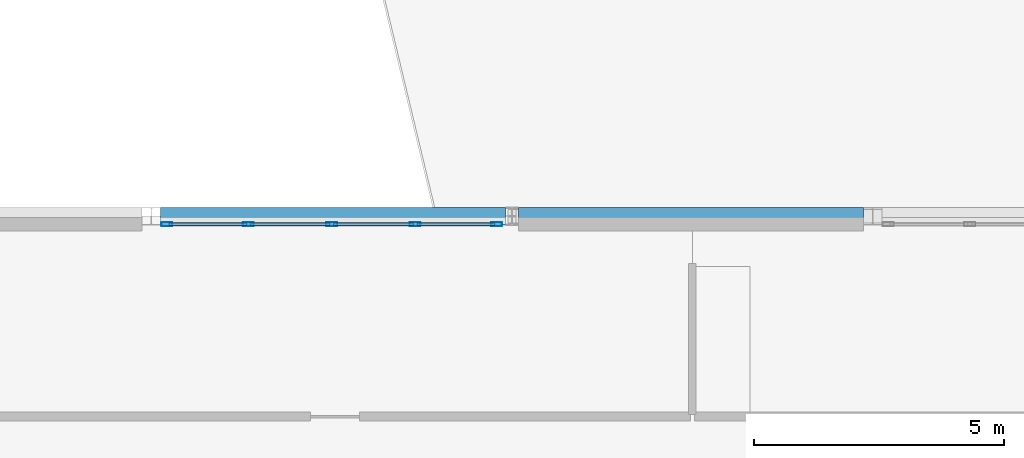
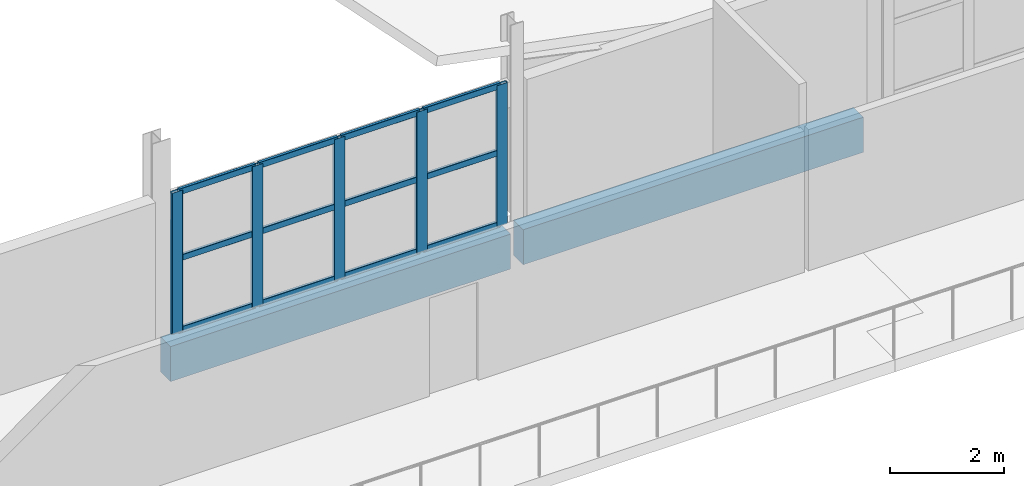
# One storey, part 52 of 94: 17 members, 2 beams, 1 element without a shape of its own.
"""IFC4 building model written with IfcOpenShell, lengths in metres."""

from ifc_helpers import new_model, si_unit, direction, frame, origin, origin_2d, place, context, subcontext, project, spatial, rectangle, hollow_rectangle, extrude, material, material_profile, profile_set, type_object, element, aggregate, save


model = new_model("IFC4")

# Units and contexts
model_context = context("Model", 3, precision=1e-05, world=origin(), true_north=direction((0.0, 1.0)))
body_context = subcontext(model_context, "Body", "Model", "MODEL_VIEW")
ifc_project = project(units=[si_unit("LENGTHUNIT", "METRE"), si_unit("AREAUNIT", "SQUARE_METRE"), si_unit("VOLUMEUNIT", "CUBIC_METRE"), si_unit("PLANEANGLEUNIT", "RADIAN"), si_unit("MASSUNIT", "GRAM", prefix="KILO")], contexts=[model_context])

# Site, building, storey
site_placement = place(None, origin())
site = spatial("IfcSite", under=ifc_project, at=site_placement, CompositionType="ELEMENT")
building_placement = place(site_placement, origin())
building = spatial("IfcBuilding", under=site, at=building_placement, Name="Kalmorath City Hall", CompositionType="ELEMENT")
storey_placement = place(building_placement, frame((0.0, 0.0, 14.699951171875)))
storey = spatial("IfcBuildingStorey", under=building, at=storey_placement, Name="L03", CompositionType="ELEMENT", Elevation=14.699951171875)

# Curtain wall, members
ifc_material_1 = material(Name="Anodised aluminium and laminated glass", Category="aluminium")
curtain_wall_type = type_object("IfcCurtainWallType", Name="Unitised hurricane curtain wall 6656x3022 M1850", PredefinedType="NOTDEFINED", material=ifc_material_1)
curtain_wall_placement = place(storey_placement, origin())
curtain_wall = element("IfcCurtainWall", 1, at=curtain_wall_placement, inside=storey, type_object=curtain_wall_type, Name="L03 curtain wall CW-67X30M18 #160", PredefinedType="NOTDEFINED")
ifc_material_2 = material(Name="Anodised aluminium framing", Category="aluminium")
ifc_material_profile_1 = material_profile(ifc_material_2, hollow_rectangle(XDim=0.06005859375, YDim=0.1298828125, WallThickness=0.00341796875, InnerFilletRadius=0.00341796875, OuterFilletRadius=0.007080078125, at=origin_2d()), Name="ALU-TRN-130X60X3.5")
ifc_profile_set_1 = profile_set([ifc_material_profile_1], Name="Anodised aluminium framing")
member_type_1 = type_object("IfcMemberType", Name="Curtain-wall courtyard transom 130x60", PredefinedType="USERDEFINED", material=ifc_profile_set_1)
member_1_placement = place(storey_placement, frame((129.949462890625, 43.0400390625, 0.030029296875), z_axis=(1.0, 0.0, 0.0), x_axis=(0.0, 1.0, 0.0)))
member_1 = element("IfcMember", 2, at=member_1_placement, type_object=member_type_1, Name="CW-67X30M18 transom 1.1", ObjectType="TRANSOM", PredefinedType="USERDEFINED", context=body_context, shape_type="SweptSolid", body=[
    extrude(hollow_rectangle(XDim=0.06005859375, YDim=0.1298828125, WallThickness=0.00341796875, InnerFilletRadius=0.00341796875, OuterFilletRadius=0.007080078125, at=origin_2d()), origin(), (0.0, 0.0, 1.0), 1.551513671875),
])
member_2_placement = place(storey_placement, frame((129.949462890625, 43.0400390625, 1.571044921875), z_axis=(1.0, 0.0, 0.0), x_axis=(0.0, 1.0, 0.0)))
member_2 = element("IfcMember", 3, at=member_2_placement, type_object=member_type_1, Name="CW-67X30M18 transom 1.2", ObjectType="TRANSOM", PredefinedType="USERDEFINED", context=body_context, shape_type="SweptSolid", body=[
    extrude(hollow_rectangle(XDim=0.06005859375, YDim=0.1298828125, WallThickness=0.00341796875, InnerFilletRadius=0.00341796875, OuterFilletRadius=0.007080078125, at=origin_2d()), origin(), (0.0, 0.0, 1.0), 1.551513671875),
])
member_3_placement = place(storey_placement, frame((129.949462890625, 43.0400390625, 2.991943359375), z_axis=(1.0, 0.0, 0.0), x_axis=(0.0, 1.0, 0.0)))
member_3 = element("IfcMember", 4, at=member_3_placement, type_object=member_type_1, Name="CW-67X30M18 transom 1.3", ObjectType="TRANSOM", PredefinedType="USERDEFINED", context=body_context, shape_type="SweptSolid", body=[
    extrude(hollow_rectangle(XDim=0.06005859375, YDim=0.1298828125, WallThickness=0.00341796875, InnerFilletRadius=0.00341796875, OuterFilletRadius=0.007080078125, at=origin_2d()), origin(), (0.0, 0.0, 1.0), 1.551513671875),
])
member_4_placement = place(storey_placement, frame((131.575927734375, 43.0400390625, 0.030029296875), z_axis=(1.0, 0.0, 0.0), x_axis=(0.0, 1.0, 0.0)))
member_4 = element("IfcMember", 5, at=member_4_placement, type_object=member_type_1, Name="CW-67X30M18 transom 2.1", ObjectType="TRANSOM", PredefinedType="USERDEFINED", context=body_context, shape_type="SweptSolid", body=[
    extrude(hollow_rectangle(XDim=0.06005859375, YDim=0.1298828125, WallThickness=0.00341796875, InnerFilletRadius=0.00341796875, OuterFilletRadius=0.007080078125, at=origin_2d()), origin(), (0.0, 0.0, 1.0), 1.5888671875),
])
member_5_placement = place(storey_placement, frame((131.575927734375, 43.0400390625, 1.571044921875), z_axis=(1.0, 0.0, 0.0), x_axis=(0.0, 1.0, 0.0)))
member_5 = element("IfcMember", 6, at=member_5_placement, type_object=member_type_1, Name="CW-67X30M18 transom 2.2", ObjectType="TRANSOM", PredefinedType="USERDEFINED", context=body_context, shape_type="SweptSolid", body=[
    extrude(hollow_rectangle(XDim=0.06005859375, YDim=0.1298828125, WallThickness=0.00341796875, InnerFilletRadius=0.00341796875, OuterFilletRadius=0.007080078125, at=origin_2d()), origin(), (0.0, 0.0, 1.0), 1.5888671875),
])
member_6_placement = place(storey_placement, frame((131.575927734375, 43.0400390625, 2.991943359375), z_axis=(1.0, 0.0, 0.0), x_axis=(0.0, 1.0, 0.0)))
member_6 = element("IfcMember", 7, at=member_6_placement, type_object=member_type_1, Name="CW-67X30M18 transom 2.3", ObjectType="TRANSOM", PredefinedType="USERDEFINED", context=body_context, shape_type="SweptSolid", body=[
    extrude(hollow_rectangle(XDim=0.06005859375, YDim=0.1298828125, WallThickness=0.00341796875, InnerFilletRadius=0.00341796875, OuterFilletRadius=0.007080078125, at=origin_2d()), origin(), (0.0, 0.0, 1.0), 1.5888671875),
])
member_7_placement = place(storey_placement, frame((133.23974609375, 43.0400390625, 0.030029296875), z_axis=(1.0, 0.0, 0.0), x_axis=(0.0, 1.0, 0.0)))
member_7 = element("IfcMember", 8, at=member_7_placement, type_object=member_type_1, Name="CW-67X30M18 transom 3.1", ObjectType="TRANSOM", PredefinedType="USERDEFINED", context=body_context, shape_type="SweptSolid", body=[
    extrude(hollow_rectangle(XDim=0.06005859375, YDim=0.1298828125, WallThickness=0.00341796875, InnerFilletRadius=0.00341796875, OuterFilletRadius=0.007080078125, at=origin_2d()), origin(), (0.0, 0.0, 1.0), 1.5888671875),
])
member_8_placement = place(storey_placement, frame((133.23974609375, 43.0400390625, 1.571044921875), z_axis=(1.0, 0.0, 0.0), x_axis=(0.0, 1.0, 0.0)))
member_8 = element("IfcMember", 9, at=member_8_placement, type_object=member_type_1, Name="CW-67X30M18 transom 3.2", ObjectType="TRANSOM", PredefinedType="USERDEFINED", context=body_context, shape_type="SweptSolid", body=[
    extrude(hollow_rectangle(XDim=0.06005859375, YDim=0.1298828125, WallThickness=0.00341796875, InnerFilletRadius=0.00341796875, OuterFilletRadius=0.007080078125, at=origin_2d()), origin(), (0.0, 0.0, 1.0), 1.5888671875),
])
member_9_placement = place(storey_placement, frame((133.23974609375, 43.0400390625, 2.991943359375), z_axis=(1.0, 0.0, 0.0), x_axis=(0.0, 1.0, 0.0)))
member_9 = element("IfcMember", 10, at=member_9_placement, type_object=member_type_1, Name="CW-67X30M18 transom 3.3", ObjectType="TRANSOM", PredefinedType="USERDEFINED", context=body_context, shape_type="SweptSolid", body=[
    extrude(hollow_rectangle(XDim=0.06005859375, YDim=0.1298828125, WallThickness=0.00341796875, InnerFilletRadius=0.00341796875, OuterFilletRadius=0.007080078125, at=origin_2d()), origin(), (0.0, 0.0, 1.0), 1.5888671875),
])
member_10_placement = place(storey_placement, frame((134.903564453125, 43.0400390625, 0.030029296875), z_axis=(1.0, 0.0, 0.0), x_axis=(0.0, 1.0, 0.0)))
member_10 = element("IfcMember", 11, at=member_10_placement, type_object=member_type_1, Name="CW-67X30M18 transom 4.1", ObjectType="TRANSOM", PredefinedType="USERDEFINED", context=body_context, shape_type="SweptSolid", body=[
    extrude(hollow_rectangle(XDim=0.06005859375, YDim=0.1298828125, WallThickness=0.00341796875, InnerFilletRadius=0.00341796875, OuterFilletRadius=0.007080078125, at=origin_2d()), origin(), (0.0, 0.0, 1.0), 1.551513671875),
])
member_11_placement = place(storey_placement, frame((134.903564453125, 43.0400390625, 1.571044921875), z_axis=(1.0, 0.0, 0.0), x_axis=(0.0, 1.0, 0.0)))
member_11 = element("IfcMember", 12, at=member_11_placement, type_object=member_type_1, Name="CW-67X30M18 transom 4.2", ObjectType="TRANSOM", PredefinedType="USERDEFINED", context=body_context, shape_type="SweptSolid", body=[
    extrude(hollow_rectangle(XDim=0.06005859375, YDim=0.1298828125, WallThickness=0.00341796875, InnerFilletRadius=0.00341796875, OuterFilletRadius=0.007080078125, at=origin_2d()), origin(), (0.0, 0.0, 1.0), 1.551513671875),
])
member_12_placement = place(storey_placement, frame((134.903564453125, 43.0400390625, 2.991943359375), z_axis=(1.0, 0.0, 0.0), x_axis=(0.0, 1.0, 0.0)))
member_12 = element("IfcMember", 13, at=member_12_placement, type_object=member_type_1, Name="CW-67X30M18 transom 4.3", ObjectType="TRANSOM", PredefinedType="USERDEFINED", context=body_context, shape_type="SweptSolid", body=[
    extrude(hollow_rectangle(XDim=0.06005859375, YDim=0.1298828125, WallThickness=0.00341796875, InnerFilletRadius=0.00341796875, OuterFilletRadius=0.007080078125, at=origin_2d()), origin(), (0.0, 0.0, 1.0), 1.551513671875),
])
ifc_material_3 = material(Name="Anodised aluminium framing", Category="aluminium")
ifc_material_profile_2 = material_profile(ifc_material_3, hollow_rectangle(XDim=0.074951171875, YDim=0.219970703125, WallThickness=0.00390625, InnerFilletRadius=0.00390625, OuterFilletRadius=0.008056640625, at=origin_2d()), Name="ALU-MUL-220X75X4")
ifc_profile_set_2 = profile_set([ifc_material_profile_2], Name="Anodised aluminium framing")
member_type_2 = type_object("IfcMemberType", Name="Curtain-wall primary mullion 220x75", PredefinedType="MULLION", material=ifc_profile_set_2)
member_13_placement = place(storey_placement, frame((129.912109375, 43.0400390625, 0.0), z_axis=(0.0, 0.0, 1.0), x_axis=(0.0, 1.0, 0.0)))
member_13 = element("IfcMember", 14, at=member_13_placement, type_object=member_type_2, Name="CW-67X30M18 mullion 1", PredefinedType="MULLION", context=body_context, shape_type="SweptSolid", body=[
    extrude(hollow_rectangle(XDim=0.074951171875, YDim=0.219970703125, WallThickness=0.00390625, InnerFilletRadius=0.00390625, OuterFilletRadius=0.008056640625, at=origin_2d()), origin(), (0.0, 0.0, 1.0), 3.02197265625),
])
member_14_placement = place(storey_placement, frame((131.538330078125, 43.0400390625, 0.0), z_axis=(0.0, 0.0, 1.0), x_axis=(0.0, 1.0, 0.0)))
member_14 = element("IfcMember", 15, at=member_14_placement, type_object=member_type_2, Name="CW-67X30M18 mullion 2", PredefinedType="MULLION", context=body_context, shape_type="SweptSolid", body=[
    extrude(hollow_rectangle(XDim=0.074951171875, YDim=0.219970703125, WallThickness=0.00390625, InnerFilletRadius=0.00390625, OuterFilletRadius=0.008056640625, at=origin_2d()), origin(), (0.0, 0.0, 1.0), 3.02197265625),
])
member_15_placement = place(storey_placement, frame((133.2021484375, 43.0400390625, 0.0), z_axis=(0.0, 0.0, 1.0), x_axis=(0.0, 1.0, 0.0)))
member_15 = element("IfcMember", 16, at=member_15_placement, type_object=member_type_2, Name="CW-67X30M18 mullion 3", PredefinedType="MULLION", context=body_context, shape_type="SweptSolid", body=[
    extrude(hollow_rectangle(XDim=0.074951171875, YDim=0.219970703125, WallThickness=0.00390625, InnerFilletRadius=0.00390625, OuterFilletRadius=0.008056640625, at=origin_2d()), origin(), (0.0, 0.0, 1.0), 3.02197265625),
])
member_16_placement = place(storey_placement, frame((134.8662109375, 43.0400390625, 0.0), z_axis=(0.0, 0.0, 1.0), x_axis=(0.0, 1.0, 0.0)))
member_16 = element("IfcMember", 17, at=member_16_placement, type_object=member_type_2, Name="CW-67X30M18 mullion 4", PredefinedType="MULLION", context=body_context, shape_type="SweptSolid", body=[
    extrude(hollow_rectangle(XDim=0.074951171875, YDim=0.219970703125, WallThickness=0.00390625, InnerFilletRadius=0.00390625, OuterFilletRadius=0.008056640625, at=origin_2d()), origin(), (0.0, 0.0, 1.0), 3.02197265625),
])
member_17_placement = place(storey_placement, frame((136.492431640625, 43.0400390625, 0.0), z_axis=(0.0, 0.0, 1.0), x_axis=(0.0, 1.0, 0.0)))
member_17 = element("IfcMember", 18, at=member_17_placement, type_object=member_type_2, Name="CW-67X30M18 mullion 5", PredefinedType="MULLION", context=body_context, shape_type="SweptSolid", body=[
    extrude(hollow_rectangle(XDim=0.074951171875, YDim=0.219970703125, WallThickness=0.00390625, InnerFilletRadius=0.00390625, OuterFilletRadius=0.008056640625, at=origin_2d()), origin(), (0.0, 0.0, 1.0), 3.02197265625),
])
aggregate(curtain_wall, [member_13, member_14, member_15, member_16, member_17, member_1, member_2, member_3, member_4, member_5, member_6, member_7, member_8, member_9, member_10, member_11, member_12])

# Beams
ifc_material_4 = material(Name="Precast concrete C40/50", Category="concrete")
ifc_material_profile_3 = material_profile(ifc_material_4, rectangle(XDim=0.35009765625, YDim=0.75, at=origin_2d()), Name="PC-SP-350X750")
ifc_profile_set_3 = profile_set([ifc_material_profile_3], Name="Precast concrete C40/50")
beam_type = type_object("IfcBeamType", Name="Precast spandrel lintel 350x750", PredefinedType="LINTEL", material=ifc_profile_set_3)
beam_1_placement = place(storey_placement, frame((129.784423828125, 43.199951171875, -0.638916015625), z_axis=(1.0, 0.0, 0.0), x_axis=(0.0, 1.0, 0.0)))
element("IfcBeam", 19, at=beam_1_placement, inside=storey, type_object=beam_type, Name="L03 girder PSB1 X19-20/7", PredefinedType="LINTEL", context=body_context, shape_type="SweptSolid", body=[
    extrude(rectangle(XDim=0.35009765625, YDim=0.75, at=origin_2d()), origin(), (0.0, 0.0, 1.0), 6.8876953125),
])
beam_2_placement = place(storey_placement, frame((136.927978515625, 43.199951171875, -0.638916015625), z_axis=(1.0, 0.0, 0.0), x_axis=(0.0, 1.0, 0.0)))
element("IfcBeam", 20, at=beam_2_placement, inside=storey, type_object=beam_type, Name="L03 girder PSB1 X20-21/7", PredefinedType="LINTEL", context=body_context, shape_type="SweptSolid", body=[
    extrude(rectangle(XDim=0.35009765625, YDim=0.75, at=origin_2d()), origin(), (0.0, 0.0, 1.0), 6.887451171875),
])

save(model, "model.ifc")
